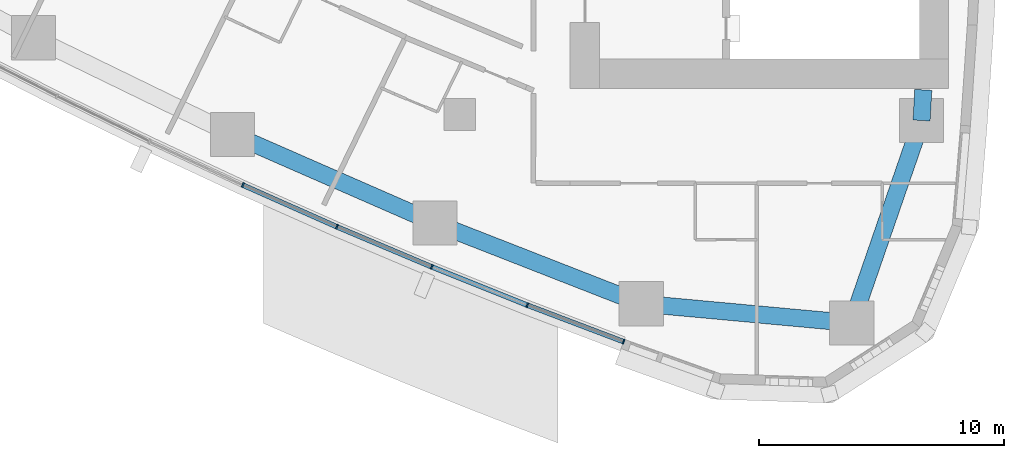
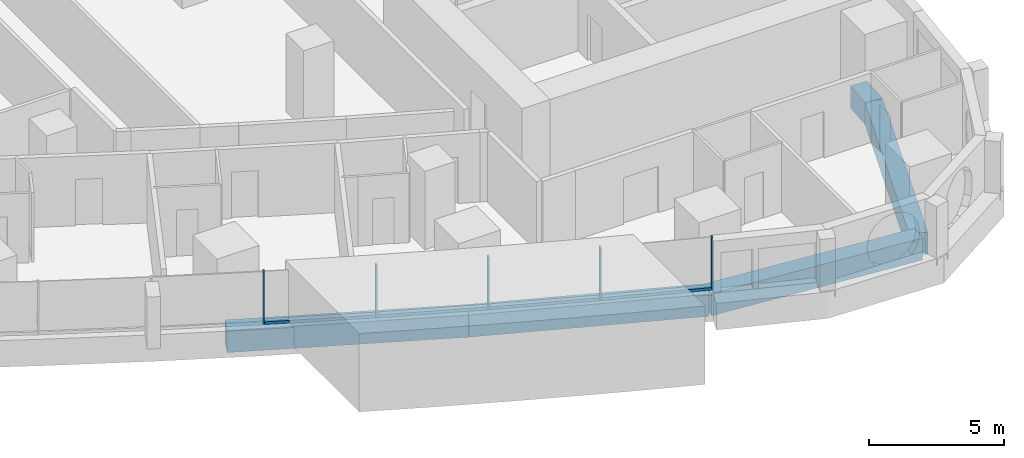
# One storey, part 3 of 19: 9 members, 5 beams, 3 elements without a shape of their own.
"""IFC4 building model written with IfcOpenShell, lengths in metres."""

import ifcopenshell
import ifcopenshell.guid

model = None  # the IFC model being written
_history = None  # IfcOwnerHistory: only IFC2X3 demands one
_inside = {}  # id of a spatial element -> (the spatial element, [elements in it])
_under = {}  # id of a project, library or spatial element -> (it, [spatial elements below it])
_declared = {}  # id of a project -> (the project, [libraries it declares])
_typed = {}  # id of a type object -> (the type object, [elements of that type])
_made_of = {}  # id of a material, layer set ... -> (it, [elements and type objects made of it])


def new_model(schema):
    """Start an empty IFC model of exactly this schema.

    Asked for "IFC4X3", IfcOpenShell would pick the latest addendum, in which some entities
    have other attributes; the version numbers below select the first issue.
    IFC2X3 requires an IfcOwnerHistory on every rooted entity: one is made here for all.
    """
    global model, _history
    if schema == "IFC4X3":
        model = ifcopenshell.file(schema_version=(4, 3, 0, 0))
    else:
        model = ifcopenshell.file(schema=schema)
    _inside.clear()
    _under.clear()
    _declared.clear()
    _typed.clear()
    _made_of.clear()
    _history = None
    if model.schema == "IFC2X3":
        org = make("IfcOrganization", Name="unknown")
        user = make(
            "IfcPersonAndOrganization",
            ThePerson=make("IfcPerson", FamilyName="unknown"),
            TheOrganization=org,
        )
        app = make(
            "IfcApplication",
            ApplicationDeveloper=org,
            Version="unknown",
            ApplicationFullName="unknown",
            ApplicationIdentifier="unknown",
        )
        _history = make(
            "IfcOwnerHistory",
            OwningUser=user,
            OwningApplication=app,
            ChangeAction="ADDED",
            CreationDate=0,
        )
    return model


def make(cls, **values):
    """One entity of the class cls with the attributes given. An attribute that is None is left unset."""
    return model.create_entity(
        cls, **{name: value for name, value in values.items() if value is not None}
    )


def rooted(cls, **values):
    """An entity with a GlobalId (a new one), such as an element, a storey or a relation."""
    return make(cls, GlobalId=ifcopenshell.guid.new(), OwnerHistory=_history, **values)


def si_unit(unit_type, name, prefix=None):
    """IfcSIUnit, for example si_unit("LENGTHUNIT", "METRE", prefix="MILLI")."""
    return make("IfcSIUnit", UnitType=unit_type, Prefix=prefix, Name=name)


def assignment(units):
    """IfcUnitAssignment: the units of a project."""
    return None if units is None else make("IfcUnitAssignment", Units=units)


def point(xyz):
    """IfcCartesianPoint."""
    return None if xyz is None else make("IfcCartesianPoint", Coordinates=xyz)


def direction(xyz):
    """IfcDirection."""
    return None if xyz is None else make("IfcDirection", DirectionRatios=xyz)


def frame(location, z_axis=None, x_axis=None):
    """IfcAxis2Placement3D, a coordinate frame: its origin and axes. An axis left out is left unset."""
    return make(
        "IfcAxis2Placement3D",
        Location=point(location),
        Axis=direction(z_axis),
        RefDirection=direction(x_axis),
    )


def frame_2d(location, x_axis=None):
    """IfcAxis2Placement2D, a coordinate frame in the plane: its origin and x axis."""
    return make(
        "IfcAxis2Placement2D", Location=point(location), RefDirection=direction(x_axis)
    )


def origin():
    """The frame at (0, 0, 0) with its axes left unset."""
    return frame((0.0, 0.0, 0.0))


def origin_2d():
    """The frame at (0, 0) in the plane with its x axis left unset."""
    return frame_2d((0.0, 0.0))


def place(relative_to, where):
    """IfcLocalPlacement: puts the frame where relative to a parent placement (None: the world)."""
    return make(
        "IfcLocalPlacement", PlacementRelTo=relative_to, RelativePlacement=where
    )


def context(
    kind, dimensions, precision=None, world=None, true_north=None, identifier=None
):
    """IfcGeometricRepresentationContext, for example the 3D "Model" context."""
    return make(
        "IfcGeometricRepresentationContext",
        ContextIdentifier=identifier,
        ContextType=kind,
        CoordinateSpaceDimension=dimensions,
        Precision=precision,
        WorldCoordinateSystem=world,
        TrueNorth=true_north,
    )


def subcontext(parent, identifier, kind, view, scale=None):
    """IfcGeometricRepresentationSubContext, for example "Body" below "Model"."""
    return make(
        "IfcGeometricRepresentationSubContext",
        ContextIdentifier=identifier,
        ContextType=kind,
        ParentContext=parent,
        TargetScale=scale,
        TargetView=view,
    )


def project(units=None, contexts=None):
    """IfcProject with its units and contexts."""
    return rooted(
        "IfcProject",
        Name="project",
        RepresentationContexts=contexts,
        UnitsInContext=assignment(units),
    )


def spatial(cls, under=None, at=None, **own):
    """A site, building, storey or space (cls), placed at a placement, below another one or the project."""
    s = rooted(cls, ObjectPlacement=at, **own)
    if under is not None:
        _under.setdefault(under.id(), (under, []))[1].append(s)
    return s


def profile(cls, at=None, kind="AREA", **sizes):
    """A parametric profile (cls). Its sizes go by their IFC names, for example OverallWidth=200.0."""
    return make(cls, ProfileType=kind, Position=at, **sizes)


def rectangle(**sizes):
    """IfcRectangleProfileDef."""
    return profile("IfcRectangleProfileDef", **sizes)


def extrude(swept, where, along, depth):
    """IfcExtrudedAreaSolid: the profile swept, set in the frame where, extruded along a direction by depth."""
    return make(
        "IfcExtrudedAreaSolid",
        SweptArea=swept,
        Position=where,
        ExtrudedDirection=direction(along),
        Depth=depth,
    )


def shape(context_of_items, identifier, shape_type, items):
    """IfcShapeRepresentation: the items that make up one representation, for example the "Body"."""
    return make(
        "IfcShapeRepresentation",
        ContextOfItems=context_of_items,
        RepresentationIdentifier=identifier,
        RepresentationType=shape_type,
        Items=items,
    )


def material(Name=None, Category=None):
    """IfcMaterial."""
    return make("IfcMaterial", Name=Name, Category=Category)


def layer(
    of_material, thickness, ventilated=None, Name=None, Category=None, Priority=None
):
    """IfcMaterialLayer: one layer of a wall or slab, of a material (None: an air gap)."""
    return make(
        "IfcMaterialLayer",
        Material=of_material,
        LayerThickness=thickness,
        IsVentilated=ventilated,
        Name=Name,
        Category=Category,
        Priority=Priority,
    )


def layer_set(layers, Name=None):
    """IfcMaterialLayerSet."""
    return make("IfcMaterialLayerSet", MaterialLayers=layers, LayerSetName=Name)


def material_profile(
    of_material, cross_section, Name=None, Category=None, Priority=None
):
    """IfcMaterialProfile: a cross section and its material."""
    return make(
        "IfcMaterialProfile",
        Name=Name,
        Material=of_material,
        Profile=cross_section,
        Priority=Priority,
        Category=Category,
    )


def profile_set(profiles, Name=None, composite=None):
    """IfcMaterialProfileSet."""
    return make(
        "IfcMaterialProfileSet",
        Name=Name,
        MaterialProfiles=profiles,
        CompositeProfile=composite,
    )


def made_of(thing, what):
    """Note that an element or type object is made of a material, layer set ...; save() writes the relation."""
    if what is not None:
        _made_of.setdefault(what.id(), (what, []))[1].append(thing)
    return thing


def type_object(cls, material=None, **own):
    """A type object (cls), such as IfcWallType, which elements share."""
    return made_of(rooted(cls, **own), material)


def element(
    cls,
    number,
    at=None,
    inside=None,
    cuts=None,
    type_object=None,
    material=None,
    context=None,
    identifier="Body",
    shape_type=None,
    held_by="IfcProductDefinitionShape",
    body=None,
    shapes=None,
    **own,
):
    """One element of the class cls, such as IfcWall. Its Tag is "e" and its number.

    at: its placement. inside: the storey or other place that contains it. cuts: it is an
    opening in that element (IfcRelVoidsElement). A single representation is given by context,
    identifier, shape_type and body (its items); several are given by shapes. held_by: the class
    of the entity that holds the representations. save() writes the other relations.
    """
    e = rooted(cls, Tag="e%d" % number, ObjectPlacement=at, **own)
    if body is not None:
        shapes = [shape(context, identifier, shape_type, body)]
    if shapes is not None:
        e.Representation = make(held_by, Representations=shapes)
    if inside is not None:
        _inside.setdefault(inside.id(), (inside, []))[1].append(e)
    if cuts is not None:
        rooted(
            "IfcRelVoidsElement", RelatingBuildingElement=cuts, RelatedOpeningElement=e
        )
    if type_object is not None:
        _typed.setdefault(type_object.id(), (type_object, []))[1].append(e)
    return made_of(e, material)


def aggregate(whole, parts):
    """IfcRelAggregates: a whole, such as a stair, and the parts it consists of."""
    return rooted("IfcRelAggregates", RelatingObject=whole, RelatedObjects=parts)


def save(model, path):
    """Write the relations noted so far, then the file.

    IfcRelAggregates (storeys below a building ...), IfcRelContainedInSpatialStructure (elements
    in a storey), IfcRelDefinesByType, IfcRelAssociatesMaterial and IfcRelDeclares: one each for
    every whole, place, type object, material and project.
    """
    for whole, parts in _under.values():
        aggregate(whole, parts)
    for where, things in _inside.values():
        rooted(
            "IfcRelContainedInSpatialStructure",
            RelatedElements=things,
            RelatingStructure=where,
        )
    for kind, things in _typed.values():
        rooted("IfcRelDefinesByType", RelatedObjects=things, RelatingType=kind)
    for what, things in _made_of.values():
        rooted("IfcRelAssociatesMaterial", RelatedObjects=things, RelatingMaterial=what)
    for by, libraries in _declared.values():
        rooted("IfcRelDeclares", RelatingContext=by, RelatedDefinitions=libraries)
    model.write(path)


model = new_model("IFC4")

# Units and contexts
model_context = context("Model", 3, precision=1e-05, world=origin(), true_north=direction((0.0, 1.0)))
body_context = subcontext(model_context, "Body", "Model", "MODEL_VIEW")
ifc_project = project(units=[si_unit("LENGTHUNIT", "METRE"), si_unit("AREAUNIT", "SQUARE_METRE"), si_unit("VOLUMEUNIT", "CUBIC_METRE"), si_unit("PLANEANGLEUNIT", "RADIAN"), si_unit("MASSUNIT", "GRAM", prefix="KILO")], contexts=[model_context])

# Site, building, storey
site_placement = place(None, origin())
site = spatial("IfcSite", under=ifc_project, at=site_placement, CompositionType="ELEMENT")
building_placement = place(site_placement, origin())
building = spatial("IfcBuilding", under=site, at=building_placement, Name="Ostrand Prow Hotel Tower", CompositionType="ELEMENT")
storey_placement = place(building_placement, frame((0.0, 0.0, 71.550048828125)))
storey = spatial("IfcBuildingStorey", under=building, at=storey_placement, Name="L16", CompositionType="ELEMENT", Elevation=71.550048828125)

# Beams
ifc_material_1 = material(Name="Concrete C80/95", Category="concrete")
ifc_material_profile_1 = material_profile(ifc_material_1, rectangle(XDim=0.699951171875, YDim=1.0, at=origin_2d()), Name="RC 700x1000")
ifc_profile_set_1 = profile_set([ifc_material_profile_1], Name="Concrete C80/95")
beam_type = type_object("IfcBeamType", Name="Edge beam 700x1000 C80/95", PredefinedType="SPANDREL", material=ifc_profile_set_1)
for number, where, z_axis, x_axis, name in (
    (1, (35.7412109375, -18.814208984375, -0.800048828125), (0.916095776162, -0.400959510297, 0.0), (0.400959510297, 0.916095776162, 0.0), "Edge beam S4-S5"),
    (2, (43.997802734375, -22.427978515625, -0.800048828125), (0.931329480916, -0.364177701098, 0.0), (0.364177701098, 0.931329480916, 0.0), "Edge beam S5-S6"),
):
    element("IfcBeam", number, at=place(storey_placement, frame(where, z_axis=z_axis, x_axis=x_axis)), inside=storey, type_object=beam_type, Name=name, PredefinedType="SPANDREL", context=body_context, shape_type="SweptSolid", body=[
        extrude(rectangle(XDim=0.699951171875, YDim=1.0, at=origin_2d()), origin(), (0.0, 0.0, 1.0), 9.0126953125),
    ])
beam_1_placement = place(storey_placement, frame((52.3916015625, -25.710205078125, -0.800048828125), z_axis=(0.995800189514, -0.091553167961, 0.0), x_axis=(0.091553167961, 0.995800189514, 0.0)))
element("IfcBeam", 3, at=beam_1_placement, inside=storey, type_object=beam_type, Name="Edge beam S6-SE", PredefinedType="SPANDREL", context=body_context, shape_type="SweptSolid", body=[
    extrude(rectangle(XDim=0.699951171875, YDim=1.0, at=origin_2d()), origin(), (0.0, 0.0, 1.0), 8.610595703125),
])
beam_2_placement = place(storey_placement, frame((60.966064453125, -26.49853515625, -0.800048828125), z_axis=(0.326263961413, 0.945278703602, 0.0), x_axis=(-0.945278703602, 0.326263961413, 0.0)))
element("IfcBeam", 4, at=beam_2_placement, inside=storey, type_object=beam_type, Name="Edge beam SE-B1", PredefinedType="SPANDREL", context=body_context, shape_type="SweptSolid", body=[
    extrude(rectangle(XDim=0.699951171875, YDim=1.0, at=origin_2d()), origin(), (0.0, 0.0, 1.0), 8.727294921875),
])
beam_3_placement = place(storey_placement, frame((63.8134765625, -18.248779296875, -0.800048828125), z_axis=(0.056215946509, 0.998418633319, 0.0), x_axis=(-0.998418633319, 0.056215946509, 0.0)))
element("IfcBeam", 5, at=beam_3_placement, inside=storey, type_object=beam_type, Name="Edge beam B1-B2", PredefinedType="SPANDREL", context=body_context, shape_type="SweptSolid", body=[
    extrude(rectangle(XDim=0.699951171875, YDim=1.0, at=origin_2d()), origin(), (0.0, 0.0, 1.0), 1.250732421875),
])

# Curtain wall, member
ifc_material_2 = material(Name="Insulated glass in bronze anodised frame", Category="glass")
ifc_layer = layer(ifc_material_2, 0.199951171875)
ifc_layer_set = layer_set([ifc_layer], Name="Insulated glass in bronze anodised frame")
curtain_wall_type = type_object("IfcCurtainWallType", Name="Strip curtain wall, fritted glass over bronze spandrel", PredefinedType="NOTDEFINED", material=ifc_layer_set)
curtain_wall_1_placement = place(storey_placement, origin())
curtain_wall_1 = element("IfcCurtainWall", 6, at=curtain_wall_1_placement, inside=storey, type_object=curtain_wall_type, Name="CW1 run CWS3", PredefinedType="NOTDEFINED")
ifc_material_3 = material(Name="Bronze anodised aluminium", Category="aluminium")
ifc_material_profile_2 = material_profile(ifc_material_3, rectangle(XDim=0.199951171875, YDim=0.06005859375, at=origin_2d()), Name="Mullion 60x200 bronze anodised aluminium")
ifc_profile_set_2 = profile_set([ifc_material_profile_2], Name="Bronze anodised aluminium")
member_type_1 = type_object("IfcMemberType", Name="Mullion 60x200 bronze anodised aluminium", PredefinedType="MULLION", material=ifc_profile_set_2)
member_1_placement = place(storey_placement, frame((36.162109375, -20.876953125, 0.89990234375), z_axis=(0.0, 0.0, 1.0), x_axis=(0.422529678615, 0.906349088757, 0.0)))
member_1 = element("IfcMember", 7, at=member_1_placement, type_object=member_type_1, Name="CW1 mullion 3", PredefinedType="MULLION", context=body_context, shape_type="SweptSolid", body=[
    extrude(rectangle(XDim=0.199951171875, YDim=0.06005859375, at=origin_2d()), origin(), (0.0, 0.0, 1.0), 2.35009765625),
])
aggregate(curtain_wall_1, [member_1])

# Curtain wall, members
curtain_wall_2_placement = place(storey_placement, origin())
curtain_wall_2 = element("IfcCurtainWall", 8, at=curtain_wall_2_placement, inside=storey, type_object=curtain_wall_type, Name="CW1 run CWS4", PredefinedType="NOTDEFINED")
member_2_placement = place(storey_placement, frame((39.99560546875, -22.5791015625, 0.89990234375), z_axis=(0.0, 0.0, 1.0), x_axis=(0.388892418709, 0.921283173987, 0.0)))
member_2 = element("IfcMember", 9, at=member_2_placement, type_object=member_type_1, Name="CW1 mullion 2", PredefinedType="MULLION", context=body_context, shape_type="SweptSolid", body=[
    extrude(rectangle(XDim=0.199951171875, YDim=0.06005859375, at=origin_2d()), origin(), (0.0, 0.0, 1.0), 2.35009765625),
])
member_3_placement = place(storey_placement, frame((43.859619140625, -24.210205078125, 0.89990234375), z_axis=(0.0, 0.0, 1.0), x_axis=(0.388892418709, 0.921283173987, 0.0)))
member_3 = element("IfcMember", 10, at=member_3_placement, type_object=member_type_1, Name="CW1 mullion 3", PredefinedType="MULLION", context=body_context, shape_type="SweptSolid", body=[
    extrude(rectangle(XDim=0.199951171875, YDim=0.06005859375, at=origin_2d()), origin(), (0.0, 0.0, 1.0), 2.35009765625),
])

curtain_wall_3_placement = place(storey_placement, origin())
curtain_wall_3 = element("IfcCurtainWall", 11, at=curtain_wall_3_placement, inside=storey, type_object=curtain_wall_type, Name="CW1 run CWS5", PredefinedType="NOTDEFINED")
member_4_placement = place(storey_placement, frame((47.7529296875, -25.769775390625, 0.89990234375), z_axis=(0.0, 0.0, 1.0), x_axis=(0.354728407072, 0.934969388384, 0.0)))
member_4 = element("IfcMember", 12, at=member_4_placement, type_object=member_type_1, Name="CW1 mullion 2", PredefinedType="MULLION", context=body_context, shape_type="SweptSolid", body=[
    extrude(rectangle(XDim=0.199951171875, YDim=0.06005859375, at=origin_2d()), origin(), (0.0, 0.0, 1.0), 2.35009765625),
])
member_5_placement = place(storey_placement, frame((51.674560546875, -27.2578125, 0.89990234375), z_axis=(0.0, 0.0, 1.0), x_axis=(0.354728407072, 0.934969388384, 0.0)))
member_5 = element("IfcMember", 13, at=member_5_placement, type_object=member_type_1, Name="CW1 mullion 3", PredefinedType="MULLION", context=body_context, shape_type="SweptSolid", body=[
    extrude(rectangle(XDim=0.199951171875, YDim=0.06005859375, at=origin_2d()), origin(), (0.0, 0.0, 1.0), 2.35009765625),
])

# Member
ifc_material_4 = material(Name="Bronze anodised aluminium", Category="aluminium")
ifc_material_profile_3 = material_profile(ifc_material_4, rectangle(XDim=0.199951171875, YDim=0.1201171875, at=origin_2d()), Name="Transom 120x200 bronze anodised aluminium")
ifc_profile_set_3 = profile_set([ifc_material_profile_3], Name="Bronze anodised aluminium")
member_type_2 = type_object("IfcMemberType", Name="Transom 120x200 bronze anodised aluminium", PredefinedType="USERDEFINED", material=ifc_profile_set_3)
member_6_placement = place(storey_placement, frame((36.189453125, -20.88916015625, 0.9599609375), z_axis=(0.913957599094, -0.405809693156, 0.0), x_axis=(0.405809693156, 0.913957599094, 0.0)))
member_6 = element("IfcMember", 14, at=member_6_placement, type_object=member_type_2, Name="CW1 transom 1.1", ObjectType="TRANSOM", PredefinedType="USERDEFINED", context=body_context, shape_type="SweptSolid", body=[
    extrude(rectangle(XDim=0.199951171875, YDim=0.1201171875, at=origin_2d()), origin(), (0.0, 0.0, 1.0), 4.13427734375),
])

member_7_placement = place(storey_placement, frame((40.023193359375, -22.5908203125, 0.9599609375), z_axis=(0.921284828297, -0.388888499637, 0.0), x_axis=(0.388888499637, 0.921284828297, 0.0)))
member_7 = element("IfcMember", 15, at=member_7_placement, type_object=member_type_2, Name="CW1 transom 2.1", ObjectType="TRANSOM", PredefinedType="USERDEFINED", context=body_context, shape_type="SweptSolid", body=[
    extrude(rectangle(XDim=0.199951171875, YDim=0.1201171875, at=origin_2d()), origin(), (0.0, 0.0, 1.0), 4.134033203125),
])

aggregate(curtain_wall_2, [member_2, member_3, member_6, member_7])

member_8_placement = place(storey_placement, frame((43.887451171875, -24.22119140625, 0.9599609375), z_axis=(0.928264761225, -0.371920062739, 0.0), x_axis=(0.371920062739, 0.928264761225, 0.0)))
member_8 = element("IfcMember", 16, at=member_8_placement, type_object=member_type_2, Name="CW1 transom 1.1", ObjectType="TRANSOM", PredefinedType="USERDEFINED", context=body_context, shape_type="SweptSolid", body=[
    extrude(rectangle(XDim=0.199951171875, YDim=0.1201171875, at=origin_2d()), origin(), (0.0, 0.0, 1.0), 4.13427734375),
])

member_9_placement = place(storey_placement, frame((47.781005859375, -25.780517578125, 0.9599609375), z_axis=(0.93497051437, -0.354725439261, 0.0), x_axis=(0.354725439261, 0.93497051437, 0.0)))
member_9 = element("IfcMember", 17, at=member_9_placement, type_object=member_type_2, Name="CW1 transom 2.1", ObjectType="TRANSOM", PredefinedType="USERDEFINED", context=body_context, shape_type="SweptSolid", body=[
    extrude(rectangle(XDim=0.199951171875, YDim=0.1201171875, at=origin_2d()), origin(), (0.0, 0.0, 1.0), 4.13427734375),
])

aggregate(curtain_wall_3, [member_4, member_5, member_8, member_9])

save(model, "model.ifc")
